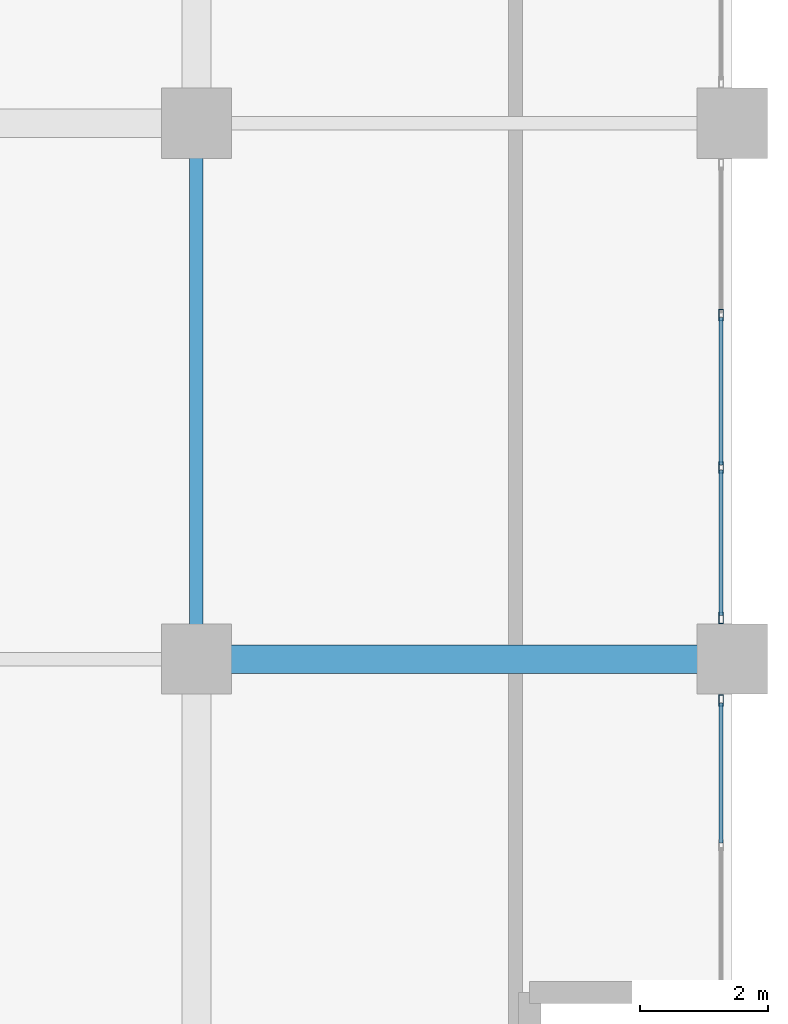
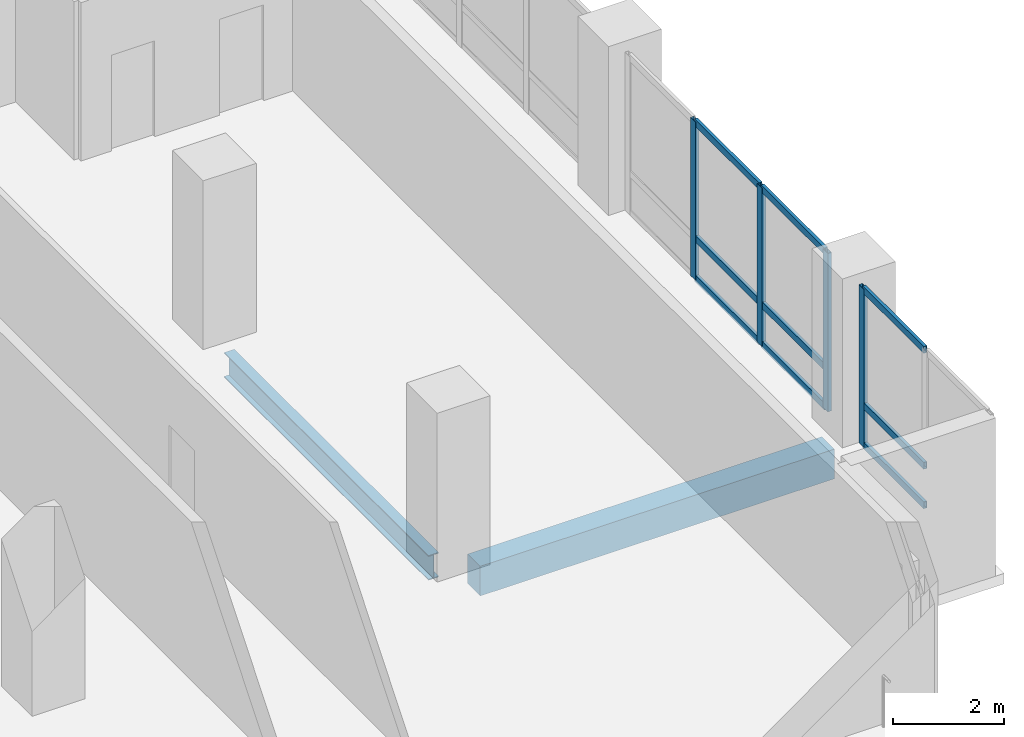
# One storey, part 4 of 20: 13 members, 2 beams, 2 elements without a shape of their own.
"""IFC4 building model written with IfcOpenShell, lengths in metres."""

from ifc_helpers import new_model, si_unit, direction, frame, origin, origin_2d, place, context, subcontext, project, spatial, rectangle, hollow_rectangle, i_section, extrude, material, layer, layer_set, material_profile, profile_set, type_object, element, aggregate, save


model = new_model("IFC4")

# Units and contexts
model_context = context("Model", 3, precision=1e-05, world=origin(), true_north=direction((0.0, 1.0)))
body_context = subcontext(model_context, "Body", "Model", "MODEL_VIEW")
ifc_project = project(units=[si_unit("LENGTHUNIT", "METRE"), si_unit("AREAUNIT", "SQUARE_METRE"), si_unit("VOLUMEUNIT", "CUBIC_METRE"), si_unit("PLANEANGLEUNIT", "RADIAN"), si_unit("MASSUNIT", "GRAM", prefix="KILO")], contexts=[model_context])

# Site, building, storey
site_placement = place(None, origin())
site = spatial("IfcSite", under=ifc_project, at=site_placement, CompositionType="ELEMENT")
building_placement = place(site_placement, origin())
building = spatial("IfcBuilding", under=site, at=building_placement, Name="Koriwani Terraces Tower", CompositionType="ELEMENT")
storey_placement = place(building_placement, frame((0.0, 0.0, 212.39990234375)))
storey = spatial("IfcBuildingStorey", under=building, at=storey_placement, Name="L52", CompositionType="ELEMENT", Elevation=212.39990234375)

# Beam
ifc_material_1 = material(Name="Concrete C50/60", Category="concrete")
ifc_material_profile_1 = material_profile(ifc_material_1, rectangle(XDim=0.449951171875, YDim=0.64990234375, at=origin_2d()), Name="Concrete C50/60", Category="LoadBearing")
ifc_profile_set_1 = profile_set([ifc_material_profile_1], Name="Concrete C50/60")
beam_type_1 = type_object("IfcBeamType", Name="BEAM_RC_GRID_450X650", PredefinedType="BEAM", material=ifc_profile_set_1)
beam_1_placement = place(storey_placement, frame((67.72998046875, 8.39990234375, -0.554931640625), z_axis=(1.0, 0.0, 0.0), x_axis=(0.0, 1.0, 0.0)))
element("IfcBeam", 1, at=beam_1_placement, inside=storey, type_object=beam_type_1, Name="L52 Grid Beam B (67.2-75.6m)", PredefinedType="BEAM", context=body_context, shape_type="SweptSolid", body=[
    extrude(rectangle(XDim=0.449951171875, YDim=0.64990234375, at=origin_2d()), origin(), (0.0, 0.0, 1.0), 7.340087890625),
])

# Curtain wall, members
ifc_material_2 = material(Name="Anodised Bronze Aluminium", Category="aluminium")
ifc_layer = layer(ifc_material_2, 0.169921875, Name="Anodised Bronze Aluminium")
ifc_layer_set = layer_set([ifc_layer], Name="Anodised Bronze Aluminium")
curtain_wall_type = type_object("IfcCurtainWallType", Name="CW_RES_ZONE3", PredefinedType="NOTDEFINED", material=ifc_layer_set)
curtain_wall_1_placement = place(storey_placement, origin())
curtain_wall_1 = element("IfcCurtainWall", 2, at=curtain_wall_1_placement, inside=storey, type_object=curtain_wall_type, Name="L52 Unitised Curtain Wall (E_TIP) Bay 3", PredefinedType="NOTDEFINED")
ifc_material_profile_2 = material_profile(ifc_material_2, hollow_rectangle(XDim=0.074951171875, YDim=0.179931640625, WallThickness=0.006103515625, at=origin_2d()), Name="Anodised Bronze Aluminium", Category="LoadBearing")
ifc_profile_set_2 = profile_set([ifc_material_profile_2], Name="Anodised Bronze Aluminium")
member_type_1 = type_object("IfcMemberType", Name="CW_MULLION_180X75", PredefinedType="MULLION", material=ifc_profile_set_2)
member_1_placement = place(storey_placement, frame((75.425048828125, 13.796630859375, 0.0), z_axis=(0.0, 0.0, 1.0), x_axis=(1.0, 0.0, 0.0)))
member_1 = element("IfcMember", 3, at=member_1_placement, type_object=member_type_1, Name="CW-Z3 mullion 2", PredefinedType="MULLION", context=body_context, shape_type="SweptSolid", body=[
    extrude(hollow_rectangle(XDim=0.074951171875, YDim=0.179931640625, WallThickness=0.006103515625, at=origin_2d()), origin(), (0.0, 0.0, 1.0), 3.47021484375),
])
member_2_placement = place(storey_placement, frame((75.425048828125, 11.4033203125, 0.0), z_axis=(0.0, 0.0, 1.0), x_axis=(1.0, 0.0, 0.0)))
member_2 = element("IfcMember", 4, at=member_2_placement, type_object=member_type_1, Name="CW-Z3 mullion 3", PredefinedType="MULLION", context=body_context, shape_type="SweptSolid", body=[
    extrude(hollow_rectangle(XDim=0.074951171875, YDim=0.179931640625, WallThickness=0.006103515625, at=origin_2d()), origin(), (0.0, 0.0, 1.0), 3.47021484375),
])
member_3_placement = place(storey_placement, frame((75.425048828125, 9.047607421875, 0.0), z_axis=(0.0, 0.0, 1.0), x_axis=(1.0, 0.0, 0.0)))
member_3 = element("IfcMember", 5, at=member_3_placement, type_object=member_type_1, Name="CW-Z3 mullion 4", PredefinedType="MULLION", context=body_context, shape_type="SweptSolid", body=[
    extrude(hollow_rectangle(XDim=0.074951171875, YDim=0.179931640625, WallThickness=0.006103515625, at=origin_2d()), origin(), (0.0, 0.0, 1.0), 3.47021484375),
])

# Curtain wall, member
curtain_wall_2_placement = place(storey_placement, origin())
curtain_wall_2 = element("IfcCurtainWall", 6, at=curtain_wall_2_placement, inside=storey, type_object=curtain_wall_type, Name="L52 Unitised Curtain Wall (E_TIP) Bay 4", PredefinedType="NOTDEFINED")
member_4_placement = place(storey_placement, frame((75.425048828125, 7.75244140625, 0.0), z_axis=(0.0, 0.0, 1.0), x_axis=(1.0, 0.0, 0.0)))
member_4 = element("IfcMember", 7, at=member_4_placement, type_object=member_type_1, Name="CW-Z3 mullion 1", PredefinedType="MULLION", context=body_context, shape_type="SweptSolid", body=[
    extrude(hollow_rectangle(XDim=0.074951171875, YDim=0.179931640625, WallThickness=0.006103515625, at=origin_2d()), origin(), (0.0, 0.0, 1.0), 3.47021484375),
])

# Member
ifc_material_profile_3 = material_profile(ifc_material_2, hollow_rectangle(XDim=0.06494140625, YDim=0.14990234375, WallThickness=0.0048828125, at=origin_2d()), Name="Anodised Bronze Aluminium", Category="LoadBearing")
ifc_profile_set_3 = profile_set([ifc_material_profile_3], Name="Anodised Bronze Aluminium")
member_type_2 = type_object("IfcMemberType", Name="CW_TRANSOM_150X65", PredefinedType="USERDEFINED", material=ifc_profile_set_3)
member_5_placement = place(storey_placement, frame((75.425048828125, 13.75927734375, 0.03271484375), z_axis=(0.0, -1.0, 0.0), x_axis=(1.0, 0.0, 0.0)))
member_5 = element("IfcMember", 8, at=member_5_placement, type_object=member_type_2, Name="CW-Z3 transom 2.1", ObjectType="TRANSOM", PredefinedType="USERDEFINED", context=body_context, shape_type="SweptSolid", body=[
    extrude(hollow_rectangle(XDim=0.06494140625, YDim=0.14990234375, WallThickness=0.0048828125, at=origin_2d()), origin(), (0.0, 0.0, 1.0), 2.318359375),
])

member_6_placement = place(storey_placement, frame((75.425048828125, 13.75927734375, 0.900146484375), z_axis=(0.0, -1.0, 0.0), x_axis=(1.0, 0.0, 0.0)))
member_6 = element("IfcMember", 9, at=member_6_placement, type_object=member_type_2, Name="CW-Z3 transom 2.2", ObjectType="TRANSOM", PredefinedType="USERDEFINED", context=body_context, shape_type="SweptSolid", body=[
    extrude(hollow_rectangle(XDim=0.06494140625, YDim=0.14990234375, WallThickness=0.0048828125, at=origin_2d()), origin(), (0.0, 0.0, 1.0), 2.318359375),
])

member_7_placement = place(storey_placement, frame((75.425048828125, 13.75927734375, 3.4375), z_axis=(0.0, -1.0, 0.0), x_axis=(1.0, 0.0, 0.0)))
member_7 = element("IfcMember", 10, at=member_7_placement, type_object=member_type_2, Name="CW-Z3 transom 2.3", ObjectType="TRANSOM", PredefinedType="USERDEFINED", context=body_context, shape_type="SweptSolid", body=[
    extrude(hollow_rectangle(XDim=0.06494140625, YDim=0.14990234375, WallThickness=0.0048828125, at=origin_2d()), origin(), (0.0, 0.0, 1.0), 2.318359375),
])

member_8_placement = place(storey_placement, frame((75.425048828125, 11.36572265625, 0.03271484375), z_axis=(0.0, -1.0, 0.0), x_axis=(1.0, 0.0, 0.0)))
member_8 = element("IfcMember", 11, at=member_8_placement, type_object=member_type_2, Name="CW-Z3 transom 3.1", ObjectType="TRANSOM", PredefinedType="USERDEFINED", context=body_context, shape_type="SweptSolid", body=[
    extrude(hollow_rectangle(XDim=0.06494140625, YDim=0.14990234375, WallThickness=0.0048828125, at=origin_2d()), origin(), (0.0, 0.0, 1.0), 2.28076171875),
])

member_9_placement = place(storey_placement, frame((75.425048828125, 11.36572265625, 0.900146484375), z_axis=(0.0, -1.0, 0.0), x_axis=(1.0, 0.0, 0.0)))
member_9 = element("IfcMember", 12, at=member_9_placement, type_object=member_type_2, Name="CW-Z3 transom 3.2", ObjectType="TRANSOM", PredefinedType="USERDEFINED", context=body_context, shape_type="SweptSolid", body=[
    extrude(hollow_rectangle(XDim=0.06494140625, YDim=0.14990234375, WallThickness=0.0048828125, at=origin_2d()), origin(), (0.0, 0.0, 1.0), 2.28076171875),
])

member_10_placement = place(storey_placement, frame((75.425048828125, 11.36572265625, 3.4375), z_axis=(0.0, -1.0, 0.0), x_axis=(1.0, 0.0, 0.0)))
member_10 = element("IfcMember", 13, at=member_10_placement, type_object=member_type_2, Name="CW-Z3 transom 3.3", ObjectType="TRANSOM", PredefinedType="USERDEFINED", context=body_context, shape_type="SweptSolid", body=[
    extrude(hollow_rectangle(XDim=0.06494140625, YDim=0.14990234375, WallThickness=0.0048828125, at=origin_2d()), origin(), (0.0, 0.0, 1.0), 2.28076171875),
])

aggregate(curtain_wall_1, [member_1, member_2, member_3, member_5, member_6, member_7, member_8, member_9, member_10])

member_11_placement = place(storey_placement, frame((75.425048828125, 7.715087890625, 0.03271484375), z_axis=(0.0, -1.0, 0.0), x_axis=(1.0, 0.0, 0.0)))
member_11 = element("IfcMember", 14, at=member_11_placement, type_object=member_type_2, Name="CW-Z3 transom 1.1", ObjectType="TRANSOM", PredefinedType="USERDEFINED", context=body_context, shape_type="SweptSolid", body=[
    extrude(hollow_rectangle(XDim=0.06494140625, YDim=0.14990234375, WallThickness=0.0048828125, at=origin_2d()), origin(), (0.0, 0.0, 1.0), 2.195068359375),
])

member_12_placement = place(storey_placement, frame((75.425048828125, 7.715087890625, 0.900146484375), z_axis=(0.0, -1.0, 0.0), x_axis=(1.0, 0.0, 0.0)))
member_12 = element("IfcMember", 15, at=member_12_placement, type_object=member_type_2, Name="CW-Z3 transom 1.2", ObjectType="TRANSOM", PredefinedType="USERDEFINED", context=body_context, shape_type="SweptSolid", body=[
    extrude(hollow_rectangle(XDim=0.06494140625, YDim=0.14990234375, WallThickness=0.0048828125, at=origin_2d()), origin(), (0.0, 0.0, 1.0), 2.195068359375),
])

member_13_placement = place(storey_placement, frame((75.425048828125, 7.715087890625, 3.4375), z_axis=(0.0, -1.0, 0.0), x_axis=(1.0, 0.0, 0.0)))
member_13 = element("IfcMember", 16, at=member_13_placement, type_object=member_type_2, Name="CW-Z3 transom 1.3", ObjectType="TRANSOM", PredefinedType="USERDEFINED", context=body_context, shape_type="SweptSolid", body=[
    extrude(hollow_rectangle(XDim=0.06494140625, YDim=0.14990234375, WallThickness=0.0048828125, at=origin_2d()), origin(), (0.0, 0.0, 1.0), 2.195068359375),
])

aggregate(curtain_wall_2, [member_4, member_11, member_12, member_13])

# Beam
ifc_material_3 = material(Name="Steel ASTM A572 Grade 50", Category="steel")
ifc_material_profile_4 = material_profile(ifc_material_3, i_section(OverallWidth=0.2119140625, OverallDepth=0.54296875, WebThickness=0.0126953125, FlangeThickness=0.021240234375, at=origin_2d()), Name="Steel ASTM A572 Grade 50", Category="LoadBearing")
ifc_profile_set_4 = profile_set([ifc_material_profile_4], Name="Steel ASTM A572 Grade 50")
beam_type_2 = type_object("IfcBeamType", Name="STEEL_BEAM_W530X150", PredefinedType="BEAM", material=ifc_profile_set_4)
beam_2_placement = place(storey_placement, frame((67.199951171875, 8.929931640625, -0.50146484375), z_axis=(0.0, 1.0, 0.0), x_axis=(-1.0, 0.0, 0.0)))
element("IfcBeam", 17, at=beam_2_placement, inside=storey, type_object=beam_type_2, Name="L52 Grid Beam 9 (8.4-16.8m)", PredefinedType="BEAM", context=body_context, shape_type="SweptSolid", body=[
    extrude(i_section(OverallWidth=0.2119140625, OverallDepth=0.54296875, WebThickness=0.0126953125, FlangeThickness=0.021240234375, at=origin_2d()), origin(), (0.0, 0.0, 1.0), 7.340087890625),
])

save(model, "model.ifc")
